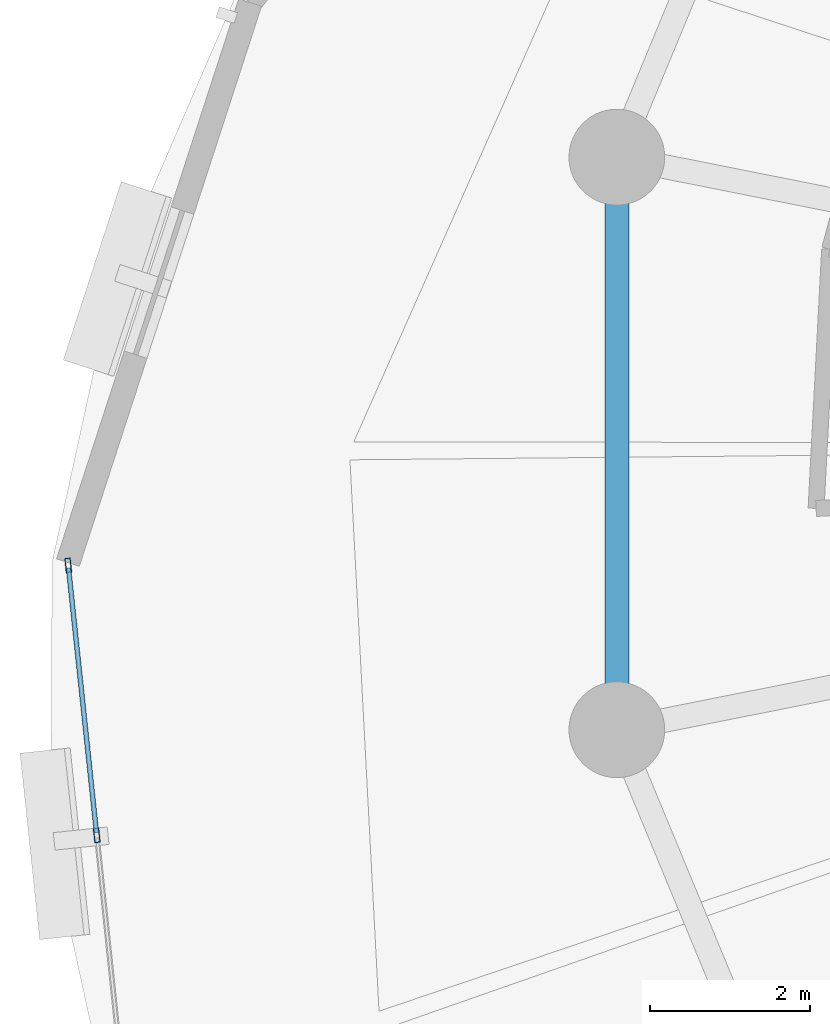
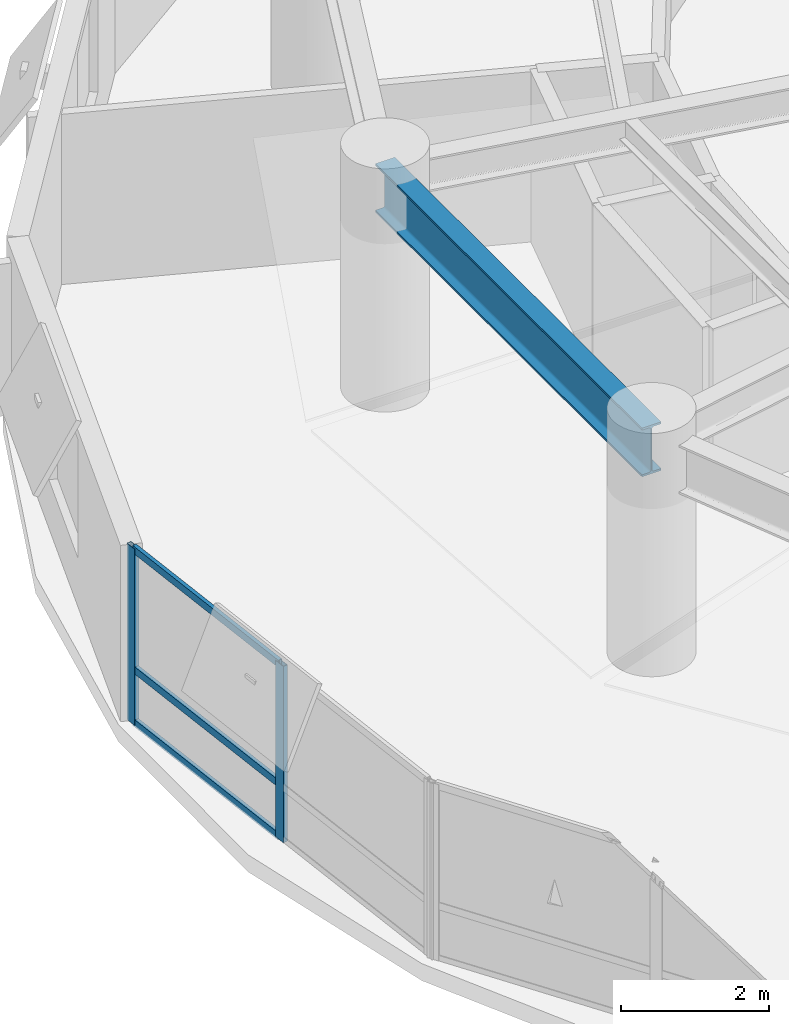
# One storey, part 4 of 15: 5 members, 1 beam, 1 element without a shape of its own.
"""IFC4 building model written with IfcOpenShell, lengths in metres."""

from ifc_helpers import new_model, si_unit, direction, frame, origin, origin_2d, place, context, subcontext, project, spatial, hollow_rectangle, i_section, extrude, material, layer, layer_set, material_profile, profile_set, type_object, element, aggregate, save


model = new_model("IFC4")

# Units and contexts
model_context = context("Model", 3, precision=1e-05, world=origin(), true_north=direction((0.0, 1.0)))
body_context = subcontext(model_context, "Body", "Model", "MODEL_VIEW")
ifc_project = project(units=[si_unit("LENGTHUNIT", "METRE"), si_unit("AREAUNIT", "SQUARE_METRE"), si_unit("VOLUMEUNIT", "CUBIC_METRE"), si_unit("PLANEANGLEUNIT", "RADIAN"), si_unit("MASSUNIT", "GRAM", prefix="KILO"), si_unit("THERMODYNAMICTEMPERATUREUNIT", "KELVIN"), si_unit("POWERUNIT", "WATT")], contexts=[model_context])

# Site, building, storey
site_placement = place(None, origin())
site = spatial("IfcSite", under=ifc_project, at=site_placement, CompositionType="ELEMENT")
building_placement = place(site_placement, origin())
building = spatial("IfcBuilding", under=site, at=building_placement, Name="Ocrelia Relay Tower", CompositionType="ELEMENT")
storey_placement = place(building_placement, frame((0.0, 0.0, 113.800048828125)))
storey = spatial("IfcBuildingStorey", under=building, at=storey_placement, Name="L26", CompositionType="ELEMENT", Elevation=113.800048828125)

# Beam
ifc_material_1 = material(Name="Steel S355", Category="steel")
ifc_material_profile_1 = material_profile(ifc_material_1, i_section(OverallWidth=0.300048828125, OverallDepth=0.800048828125, WebThickness=0.017578125, FlangeThickness=0.032958984375, FilletRadius=0.030029296875, at=origin_2d()), Name="HEB 800")
ifc_profile_set_1 = profile_set([ifc_material_profile_1], Name="Steel S355")
beam_type = type_object("IfcBeamType", Name="BM-HEB800", PredefinedType="BEAM", material=ifc_profile_set_1)
beam_placement = place(storey_placement, frame((15.95361328125, 29.589599609375, 3.320068359375), z_axis=(0.0, -1.0, 0.0), x_axis=(1.0, 0.0, 0.0)))
element("IfcBeam", 1, at=beam_placement, inside=storey, type_object=beam_type, Name="L26 Perimeter Spandrel Beam S08", PredefinedType="BEAM", context=body_context, shape_type="SweptSolid", body=[
    extrude(i_section(OverallWidth=0.300048828125, OverallDepth=0.800048828125, WebThickness=0.017578125, FlangeThickness=0.032958984375, FilletRadius=0.030029296875, at=origin_2d()), origin(), (0.0, 0.0, 1.0), 7.17919921875),
])

# Curtain wall, members
ifc_material_2 = material(Name="Aluminium and solar-control low-E glass", Category="aluminium")
ifc_layer = layer(ifc_material_2, 0.179931640625, Name="Aluminium and solar-control low-E glass")
ifc_layer_set = layer_set([ifc_layer], Name="Aluminium and solar-control low-E glass")
curtain_wall_type = type_object("IfcCurtainWallType", Name="CW-SYS-Z2-SWIT", PredefinedType="NOTDEFINED", material=ifc_layer_set)
curtain_wall_placement = place(storey_placement, origin())
curtain_wall = element("IfcCurtainWall", 2, at=curtain_wall_placement, inside=storey, type_object=curtain_wall_type, Name="L26 Elliptical Tower Curtain Wall Bay 09", PredefinedType="NOTDEFINED")
ifc_material_3 = material(Name="Anodised bronze aluminium", Category="aluminium")
ifc_material_profile_2 = material_profile(ifc_material_3, hollow_rectangle(XDim=0.070068359375, YDim=0.179931640625, WallThickness=0.006103515625, at=origin_2d()), Name="CW-MUL-180x70")
ifc_profile_set_2 = profile_set([ifc_material_profile_2], Name="Anodised bronze aluminium")
member_type_1 = type_object("IfcMemberType", Name="CW-SYS-Z2-SWIT-MUL", PredefinedType="MULLION", material=ifc_profile_set_2)
member_1_placement = place(storey_placement, frame((9.07568359375, 24.4716796875, 0.0), z_axis=(0.0, 0.0, 1.0), x_axis=(0.994466113533, 0.105057836614, 0.0)))
member_1 = element("IfcMember", 3, at=member_1_placement, type_object=member_type_1, Name="CW-Z2 mullion 1", PredefinedType="MULLION", context=body_context, shape_type="SweptSolid", body=[
    extrude(hollow_rectangle(XDim=0.070068359375, YDim=0.179931640625, WallThickness=0.006103515625, at=origin_2d()), origin(), (0.0, 0.0, 1.0), 2.89990234375),
])
member_2_placement = place(storey_placement, frame((9.433349609375, 21.0859375, 0.0), z_axis=(0.0, 0.0, 1.0), x_axis=(0.994466113533, 0.105057836614, 0.0)))
member_2 = element("IfcMember", 4, at=member_2_placement, type_object=member_type_1, Name="CW-Z2 mullion 2", PredefinedType="MULLION", context=body_context, shape_type="SweptSolid", body=[
    extrude(hollow_rectangle(XDim=0.070068359375, YDim=0.179931640625, WallThickness=0.006103515625, at=origin_2d()), origin(), (0.0, 0.0, 1.0), 2.89990234375),
])
ifc_material_profile_3 = material_profile(ifc_material_3, hollow_rectangle(XDim=0.06005859375, YDim=0.1201171875, WallThickness=0.0048828125, at=origin_2d()), Name="CW-TRN-120x60")
ifc_profile_set_3 = profile_set([ifc_material_profile_3], Name="Anodised bronze aluminium")
member_type_2 = type_object("IfcMemberType", Name="CW-SYS-Z2-SWIT-TRN", PredefinedType="USERDEFINED", material=ifc_profile_set_3)
member_3_placement = place(storey_placement, frame((9.079345703125, 24.436767578125, 0.030029296875), z_axis=(0.105069729778, -0.994464857038, 0.0), x_axis=(0.994464857038, 0.105069729778, 0.0)))
member_3 = element("IfcMember", 5, at=member_3_placement, type_object=member_type_2, Name="CW-Z2 transom 1.1", ObjectType="TRANSOM", PredefinedType="USERDEFINED", context=body_context, shape_type="SweptSolid", body=[
    extrude(hollow_rectangle(XDim=0.06005859375, YDim=0.1201171875, WallThickness=0.0048828125, at=origin_2d()), origin(), (0.0, 0.0, 1.0), 3.33447265625),
])
member_4_placement = place(storey_placement, frame((9.079345703125, 24.436767578125, 0.89990234375), z_axis=(0.105069729778, -0.994464857038, 0.0), x_axis=(0.994464857038, 0.105069729778, 0.0)))
member_4 = element("IfcMember", 6, at=member_4_placement, type_object=member_type_2, Name="CW-Z2 transom 1.2", ObjectType="TRANSOM", PredefinedType="USERDEFINED", context=body_context, shape_type="SweptSolid", body=[
    extrude(hollow_rectangle(XDim=0.06005859375, YDim=0.1201171875, WallThickness=0.0048828125, at=origin_2d()), origin(), (0.0, 0.0, 1.0), 3.33447265625),
])
member_5_placement = place(storey_placement, frame((9.079345703125, 24.436767578125, 2.869873046875), z_axis=(0.105069729778, -0.994464857038, 0.0), x_axis=(0.994464857038, 0.105069729778, 0.0)))
member_5 = element("IfcMember", 7, at=member_5_placement, type_object=member_type_2, Name="CW-Z2 transom 1.3", ObjectType="TRANSOM", PredefinedType="USERDEFINED", context=body_context, shape_type="SweptSolid", body=[
    extrude(hollow_rectangle(XDim=0.06005859375, YDim=0.1201171875, WallThickness=0.0048828125, at=origin_2d()), origin(), (0.0, 0.0, 1.0), 3.33447265625),
])
aggregate(curtain_wall, [member_1, member_2, member_3, member_4, member_5])

save(model, "model.ifc")
